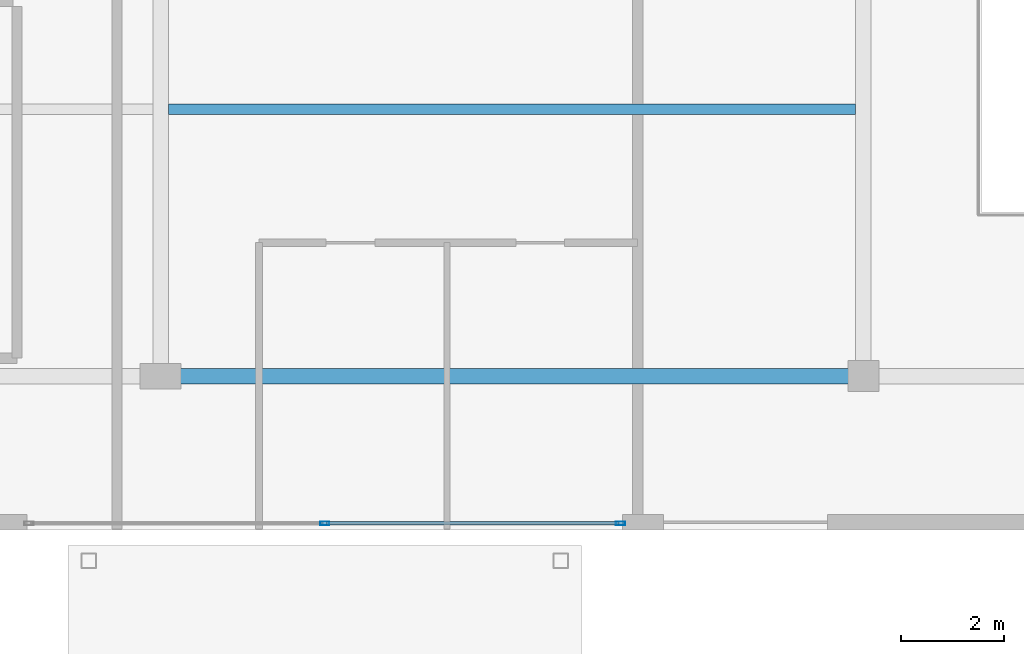
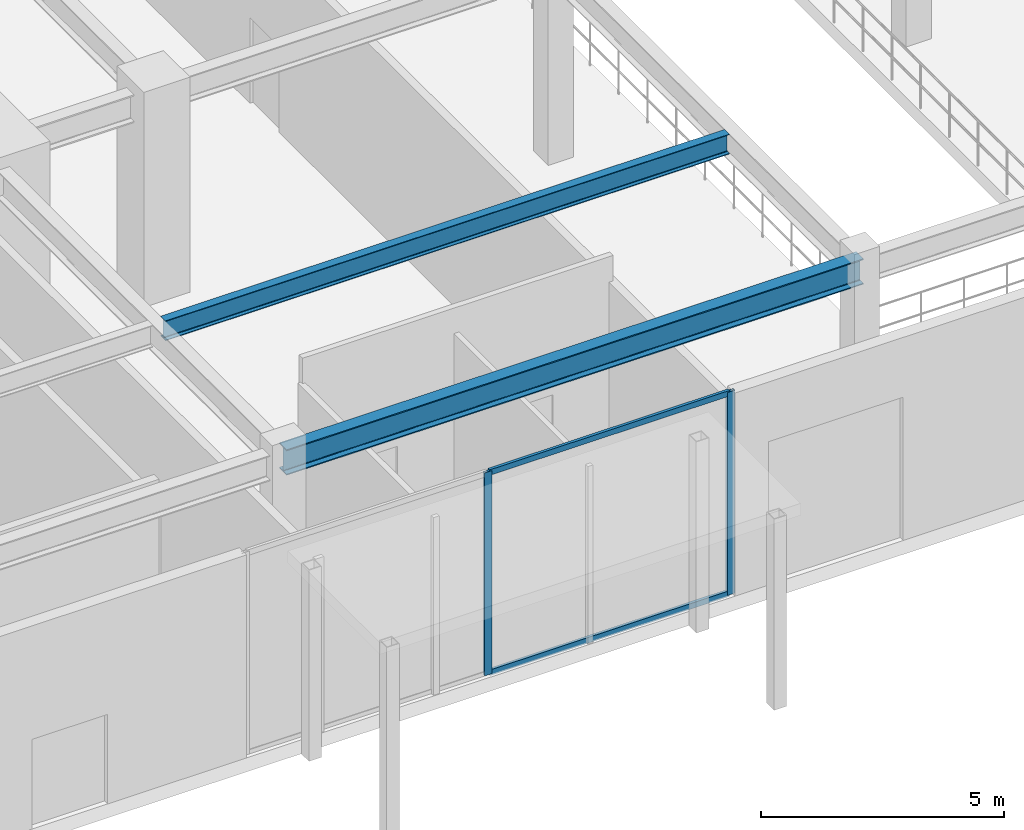
# One storey, part 12 of 28: 4 members, 2 beams, 1 element without a shape of its own.
"""IFC4 building model written with IfcOpenShell, lengths in metres."""

from ifc_helpers import new_model, si_unit, direction, frame, origin, origin_2d, place, context, subcontext, project, spatial, hollow_rectangle, i_section, extrude, source, transform, mapped, material, material_profile, profile_set, type_object, type_shapes, element, aggregate, save


model = new_model("IFC4")

# Units and contexts
model_context = context("Model", 3, precision=1e-05, world=origin(), true_north=direction((0.0, 1.0)))
body_context = subcontext(model_context, "Body", "Model", "MODEL_VIEW")
ifc_project = project(units=[si_unit("LENGTHUNIT", "METRE"), si_unit("AREAUNIT", "SQUARE_METRE"), si_unit("VOLUMEUNIT", "CUBIC_METRE"), si_unit("PLANEANGLEUNIT", "RADIAN"), si_unit("MASSUNIT", "GRAM", prefix="KILO")], contexts=[model_context])

# Site, building, storey
site_placement = place(None, origin())
site = spatial("IfcSite", under=ifc_project, at=site_placement, CompositionType="ELEMENT")
building_placement = place(site_placement, origin())
building = spatial("IfcBuilding", under=site, at=building_placement, Name="Krantzveldt Concourse Tower", CompositionType="ELEMENT")
storey_placement = place(building_placement, origin())
storey = spatial("IfcBuildingStorey", under=building, at=storey_placement, Name="L00", CompositionType="ELEMENT", Elevation=0.0)

# Beams
ifc_material_1 = material(Name="Steel S355JR", Category="steel")
ifc_material_profile_1 = material_profile(ifc_material_1, i_section(OverallWidth=0.300048828125, OverallDepth=0.639892578125, WebThickness=0.013427734375, FlangeThickness=0.02587890625, FilletRadius=0.027099609375, at=origin_2d()), Name="Steel S355JR", Category="steel")
ifc_profile_set_1 = profile_set([ifc_material_profile_1], Name="Steel S355JR - HEA 650")
beam_type_1 = type_object("IfcBeamType", Name="BM-B-HEA650", PredefinedType="BEAM", material=ifc_profile_set_1)
shared_shape_1 = source(origin(), body_context, "Body", "SweptSolid", [
    extrude(i_section(OverallWidth=0.300048828125, OverallDepth=0.639892578125, WebThickness=0.013427734375, FlangeThickness=0.02587890625, FilletRadius=0.027099609375, at=origin_2d()), origin(), (0.0, 0.0, 1.0), 13.699951171875),
])
type_shapes(beam_type_1, [shared_shape_1])
beam_1_placement = place(storey_placement, frame((46.800048828125, 3.300048828125, 4.780029296875), z_axis=(1.0, 0.0, 0.0), x_axis=(0.0, 1.0, 0.0)))
element("IfcBeam", 1, at=beam_1_placement, inside=storey, type_object=beam_type_1, Name="L00 Podium Primary Girder BG-SN3", PredefinedType="BEAM", context=body_context, shape_type="MappedRepresentation", body=[
    mapped(shared_shape_1, transform((0.0, 0.0, 0.0), x_axis=(1.0, 0.0, 0.0), y_axis=(0.0, 1.0, 0.0), z_axis=(0.0, 0.0, 1.0), scale=1.0)),
])
ifc_material_profile_2 = material_profile(ifc_material_1, i_section(OverallWidth=0.199951171875, OverallDepth=0.5, WebThickness=0.01025390625, FlangeThickness=0.01611328125, FilletRadius=0.02099609375, at=origin_2d()), Name="Steel S355JR", Category="steel")
ifc_profile_set_2 = profile_set([ifc_material_profile_2], Name="Steel S355JR - IPE 500")
beam_type_2 = type_object("IfcBeamType", Name="BM-J-IPE500", PredefinedType="JOIST", material=ifc_profile_set_2)
shared_shape_2 = source(origin(), body_context, "Body", "SweptSolid", [
    extrude(i_section(OverallWidth=0.199951171875, OverallDepth=0.5, WebThickness=0.01025390625, FlangeThickness=0.01611328125, FilletRadius=0.02099609375, at=origin_2d()), origin(), (0.0, 0.0, 1.0), 13.400146484375),
])
type_shapes(beam_type_2, [shared_shape_2])
beam_2_placement = place(storey_placement, frame((46.949951171875, 8.5, 4.85009765625), z_axis=(1.0, 0.0, 0.0), x_axis=(0.0, 1.0, 0.0)))
element("IfcBeam", 2, at=beam_2_placement, inside=storey, type_object=beam_type_2, Name="L00 East Inner Joist 1", PredefinedType="JOIST", context=body_context, shape_type="MappedRepresentation", body=[
    mapped(shared_shape_2, transform((0.0, 0.0, 0.0), x_axis=(1.0, 0.0, 0.0), y_axis=(0.0, 1.0, 0.0), z_axis=(0.0, 0.0, 1.0), scale=1.0)),
])

# Curtain wall, members
ifc_material_2 = material(Name="Anodised aluminium 6063-T6", Category="aluminium")
curtain_wall_type = type_object("IfcCurtainWallType", Name="CW1", PredefinedType="USERDEFINED", material=ifc_material_2)
curtain_wall_placement = place(storey_placement, origin())
curtain_wall = element("IfcCurtainWall", 3, at=curtain_wall_placement, inside=storey, type_object=curtain_wall_type, Name="CW-L00-SC2", ObjectType="UNITISED CURTAIN WALL", PredefinedType="USERDEFINED")
ifc_material_profile_3 = material_profile(ifc_material_2, hollow_rectangle(XDim=0.070068359375, YDim=0.179931640625, WallThickness=0.0048828125, at=origin_2d()), Name="Anodised aluminium 6063-T6", Category="aluminium")
ifc_profile_set_3 = profile_set([ifc_material_profile_3], Name="Anodised aluminium 6063-T6 - ALU-MULL 180x70x5")
member_type_1 = type_object("IfcMemberType", Name="CW-MUL-180", PredefinedType="MULLION", material=ifc_profile_set_3)
shared_shape_3 = source(origin(), body_context, "Body", "SweptSolid", [
    extrude(hollow_rectangle(XDim=0.070068359375, YDim=0.179931640625, WallThickness=0.0048828125, at=origin_2d()), origin(), (0.0, 0.0, 1.0), 5.10009765625),
])
type_shapes(member_type_1, [shared_shape_3])
member_1_placement = place(storey_placement, frame((50.0, 0.429931640625, 0.0), z_axis=(0.0, 0.0, 1.0), x_axis=(0.0, 1.0, 0.0)))
member_1 = element("IfcMember", 4, at=member_1_placement, type_object=member_type_1, Name="CW-POD mullion 2", PredefinedType="MULLION", context=body_context, shape_type="MappedRepresentation", body=[
    mapped(shared_shape_3, transform((0.0, 0.0, 0.0), x_axis=(1.0, 0.0, 0.0), y_axis=(0.0, 1.0, 0.0), z_axis=(0.0, 0.0, 1.0), scale=1.0)),
])
member_2_placement = place(storey_placement, frame((55.764892578125, 0.429931640625, 0.0), z_axis=(0.0, 0.0, 1.0), x_axis=(0.0, 1.0, 0.0)))
member_2 = element("IfcMember", 5, at=member_2_placement, type_object=member_type_1, Name="CW-POD mullion 3", PredefinedType="MULLION", context=body_context, shape_type="MappedRepresentation", body=[
    mapped(shared_shape_3, transform((0.0, 0.0, 0.0), x_axis=(1.0, 0.0, 0.0), y_axis=(0.0, 1.0, 0.0), z_axis=(0.0, 0.0, 1.0), scale=1.0)),
])
ifc_material_profile_4 = material_profile(ifc_material_2, hollow_rectangle(XDim=0.070068359375, YDim=0.139892578125, WallThickness=0.0048828125, at=origin_2d()), Name="Anodised aluminium 6063-T6", Category="aluminium")
ifc_profile_set_4 = profile_set([ifc_material_profile_4], Name="Anodised aluminium 6063-T6 - ALU-TRAN 140x70x5")
member_type_2 = type_object("IfcMemberType", Name="CW-TRN-150", PredefinedType="USERDEFINED", material=ifc_profile_set_4)
shared_shape_4 = source(origin(), body_context, "Body", "SweptSolid", [
    extrude(hollow_rectangle(XDim=0.070068359375, YDim=0.139892578125, WallThickness=0.0048828125, at=origin_2d()), origin(), (0.0, 0.0, 1.0), 5.695068359375),
])
type_shapes(member_type_2, [shared_shape_4])
member_3_placement = place(storey_placement, frame((50.034912109375, 0.429931640625, 0.034912109375), z_axis=(1.0, 0.0, 0.0), x_axis=(0.0, 1.0, 0.0)))
member_3 = element("IfcMember", 6, at=member_3_placement, type_object=member_type_2, Name="CW-POD transom 2.1", ObjectType="TRANSOM", PredefinedType="USERDEFINED", context=body_context, shape_type="MappedRepresentation", body=[
    mapped(shared_shape_4, transform((0.0, 0.0, 0.0), x_axis=(1.0, 0.0, 0.0), y_axis=(0.0, 1.0, 0.0), z_axis=(0.0, 0.0, 1.0), scale=1.0)),
])
member_4_placement = place(storey_placement, frame((50.034912109375, 0.429931640625, 5.06494140625), z_axis=(1.0, 0.0, 0.0), x_axis=(0.0, 1.0, 0.0)))
member_4 = element("IfcMember", 7, at=member_4_placement, type_object=member_type_2, Name="CW-POD transom 2.2", ObjectType="TRANSOM", PredefinedType="USERDEFINED", context=body_context, shape_type="MappedRepresentation", body=[
    mapped(shared_shape_4, transform((0.0, 0.0, 0.0), x_axis=(1.0, 0.0, 0.0), y_axis=(0.0, 1.0, 0.0), z_axis=(0.0, 0.0, 1.0), scale=1.0)),
])
aggregate(curtain_wall, [member_1, member_2, member_3, member_4])

save(model, "model.ifc")
